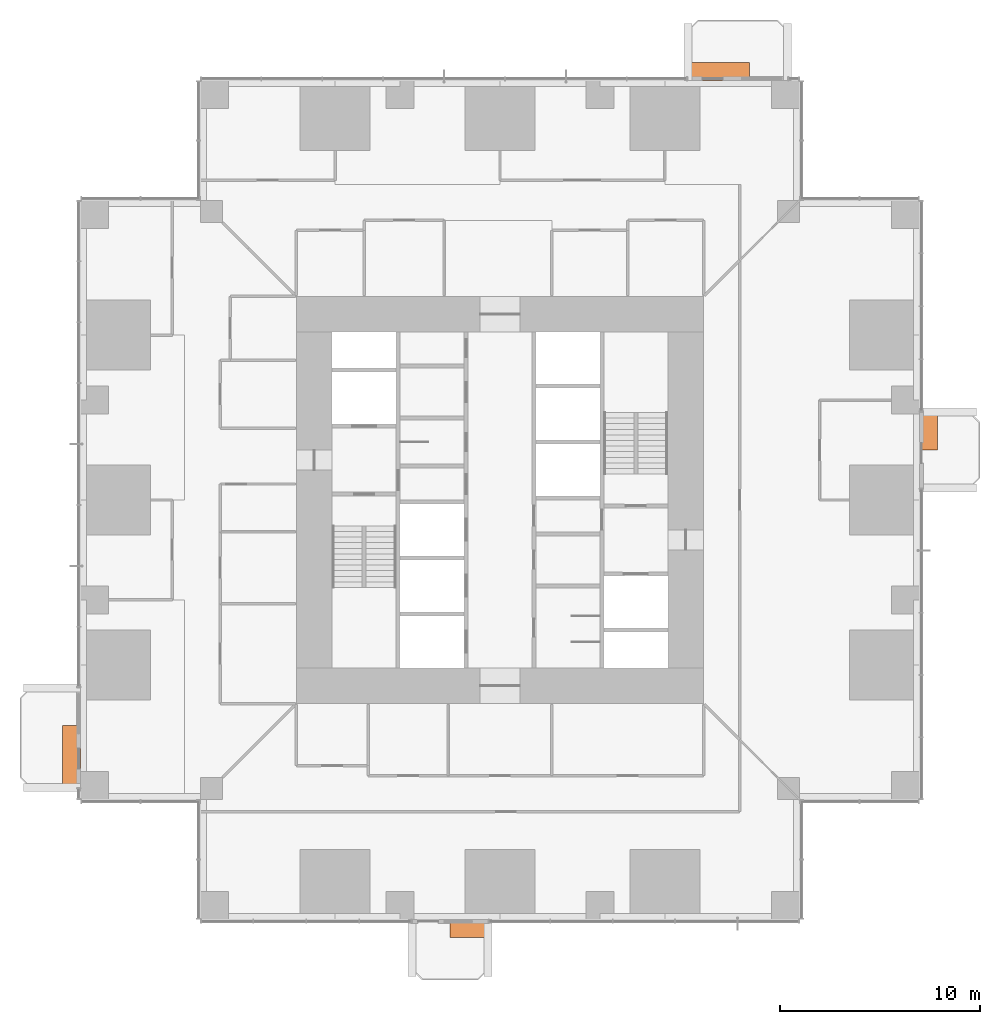
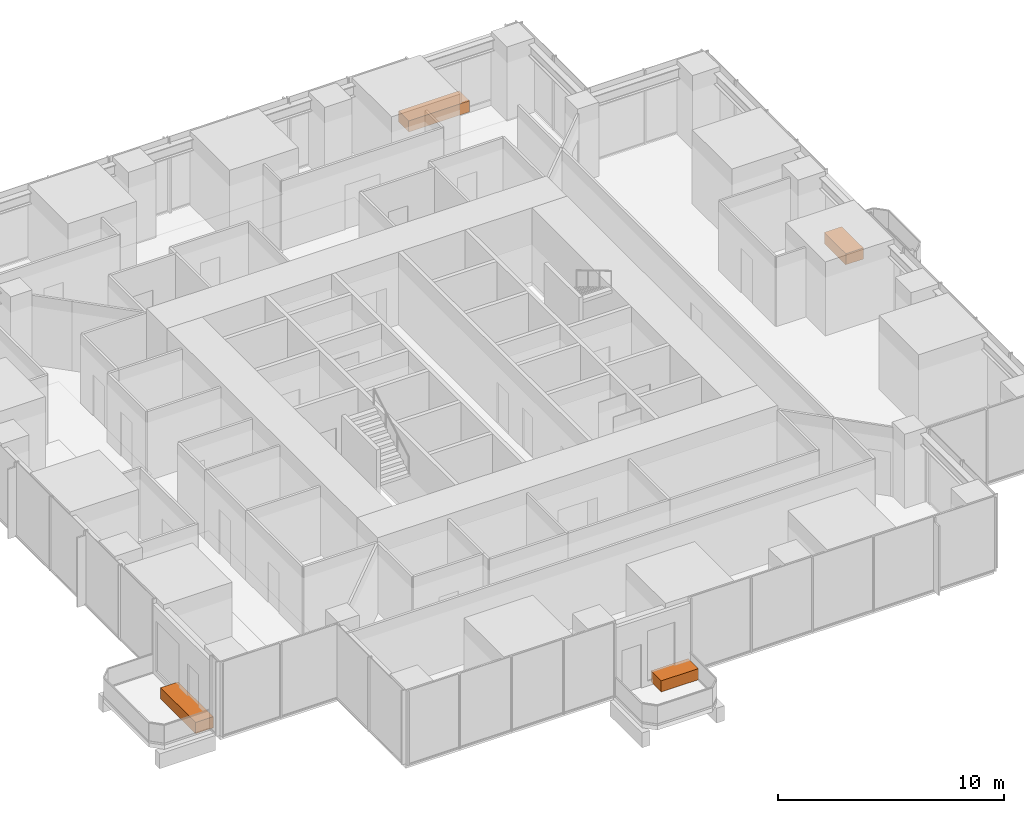
# One storey, part 17 of 17: 4 proxies.
"""IFC4 building model written with IfcOpenShell, lengths in metres."""

from ifc_helpers import new_model, si_unit, direction, frame, origin, origin_2d, place, context, subcontext, project, spatial, rectangle, extrude, element, save


model = new_model("IFC4")

# Units and contexts
model_context = context("Model", 3, precision=1e-05, world=origin(), true_north=direction((0.0, 1.0)))
body_context = subcontext(model_context, "Body", "Model", "MODEL_VIEW")
ifc_project = project(units=[si_unit("LENGTHUNIT", "METRE"), si_unit("AREAUNIT", "SQUARE_METRE"), si_unit("VOLUMEUNIT", "CUBIC_METRE"), si_unit("PLANEANGLEUNIT", "RADIAN"), si_unit("MASSUNIT", "GRAM", prefix="KILO")], contexts=[model_context])

# Site, building, storey
site_placement = place(None, origin())
site = spatial("IfcSite", under=ifc_project, at=site_placement, CompositionType="ELEMENT")
building_placement = place(site_placement, origin())
building = spatial("IfcBuilding", under=site, at=building_placement, Name="Svetlomir Tower", CompositionType="ELEMENT")
storey_placement = place(building_placement, frame((0.0, 0.0, 30.5)))
storey = spatial("IfcBuildingStorey", under=building, at=storey_placement, Name="L06", CompositionType="ELEMENT", Elevation=30.5)

# Proxies
proxy_1_placement = place(storey_placement, frame((19.449951171875, -0.449951171875, 0.0400390625), z_axis=(0.0, 0.0, 1.0), x_axis=(1.0, 0.0, 0.0)))
element("IfcBuildingElementProxy", 1, at=proxy_1_placement, inside=storey, Name="Tree planter S L06", ObjectType="PLANTER", PredefinedType="USERDEFINED", context=body_context, shape_type="SweptSolid", body=[
    extrude(rectangle(XDim=1.89990234375, YDim=0.89990234375, at=origin_2d()), origin(), (0.0, 0.0, 1.0), 0.60009765625),
])
proxy_2_placement = place(storey_placement, frame((42.449951171875, 24.449951171875, 0.0400390625), z_axis=(0.0, 0.0, 1.0), x_axis=(1.0, 0.0, 0.0)))
element("IfcBuildingElementProxy", 2, at=proxy_2_placement, inside=storey, Name="Tree planter E L06", ObjectType="PLANTER", PredefinedType="USERDEFINED", context=body_context, shape_type="SweptSolid", body=[
    extrude(rectangle(XDim=0.89990234375, YDim=1.89990234375, at=origin_2d()), origin(), (0.0, 0.0, 1.0), 0.60009765625),
])
proxy_3_placement = place(storey_placement, frame((31.949951171875, 42.449951171875, 0.0400390625), z_axis=(0.0, 0.0, 1.0), x_axis=(1.0, 0.0, 0.0)))
element("IfcBuildingElementProxy", 3, at=proxy_3_placement, inside=storey, Name="Tree planter N L06", ObjectType="PLANTER", PredefinedType="USERDEFINED", context=body_context, shape_type="SweptSolid", body=[
    extrude(rectangle(XDim=3.10009765625, YDim=0.89990234375, at=origin_2d()), origin(), (0.0, 0.0, 1.0), 0.60009765625),
])
proxy_4_placement = place(storey_placement, frame((-0.449951171875, 8.14990234375, 0.0400390625), z_axis=(0.0, 0.0, 1.0), x_axis=(1.0, 0.0, 0.0)))
element("IfcBuildingElementProxy", 4, at=proxy_4_placement, inside=storey, Name="Tree planter W L06", ObjectType="PLANTER", PredefinedType="USERDEFINED", context=body_context, shape_type="SweptSolid", body=[
    extrude(rectangle(XDim=0.89990234375, YDim=3.10009765625, at=origin_2d()), origin(), (0.0, 0.0, 1.0), 0.60009765625),
])

save(model, "model.ifc")
